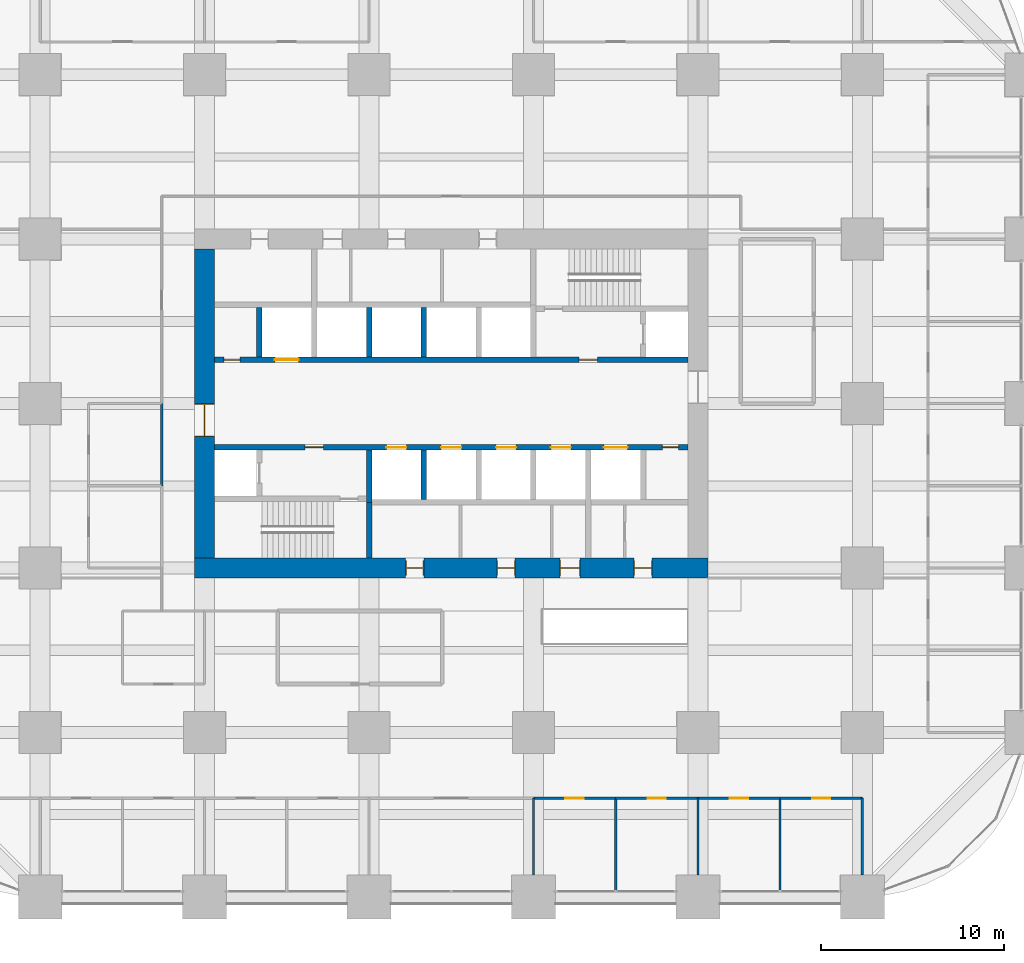
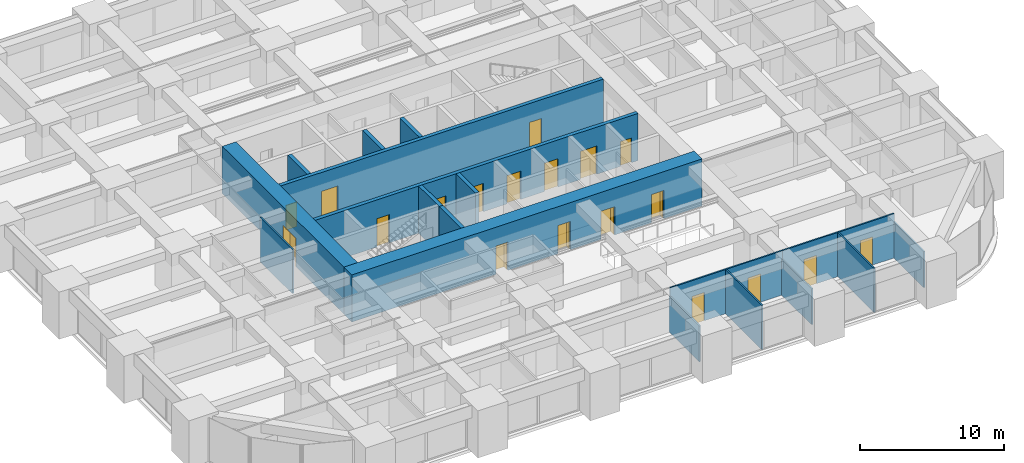
# One storey, part 40 of 45: 20 walls, 19 doors, 19 openings.
"""IFC4 building model written with IfcOpenShell, lengths in metres."""

from ifc_helpers import new_model, si_unit, direction, frame, frame_2d, origin, place, context, subcontext, project, spatial, rectangle, extrude, material, layer, layer_set, type_object, element, fill, save


model = new_model("IFC4")

# Units and contexts
model_context = context("Model", 3, precision=1e-05, world=origin(), true_north=direction((0.0, 1.0)))
body_context = subcontext(model_context, "Body", "Model", "MODEL_VIEW")
ifc_project = project(units=[si_unit("LENGTHUNIT", "METRE"), si_unit("AREAUNIT", "SQUARE_METRE"), si_unit("VOLUMEUNIT", "CUBIC_METRE"), si_unit("PLANEANGLEUNIT", "RADIAN"), si_unit("MASSUNIT", "GRAM", prefix="KILO")], contexts=[model_context])

# Site, building, storey
site_placement = place(None, origin())
site = spatial("IfcSite", under=ifc_project, at=site_placement, CompositionType="ELEMENT")
building_placement = place(site_placement, origin())
building = spatial("IfcBuilding", under=site, at=building_placement, Name="Zorevar Civic Tower", CompositionType="ELEMENT")
storey_placement = place(building_placement, frame((0.0, 0.0, 27.800048828125)))
storey = spatial("IfcBuildingStorey", under=building, at=storey_placement, Name="L06", CompositionType="ELEMENT", Elevation=27.800048828125)

# Wall, openings, doors
ifc_material_1 = material(Name="Concrete C50/60", Category="concrete")
ifc_layer_1 = layer(ifc_material_1, 1.10009765625)
ifc_layer_set_1 = layer_set([ifc_layer_1], Name="Core wall 1100")
wall_type_1 = type_object("IfcWallType", Name="Core wall 1100", PredefinedType="SHEAR", material=ifc_layer_set_1)
wall_1_placement = place(storey_placement, frame((17.449951171875, 18.0, 0.0), z_axis=(0.0, 0.0, 1.0), x_axis=(1.0, 0.0, 0.0)))
wall_1 = element("IfcWall", 1, at=wall_1_placement, inside=storey, type_object=wall_type_1, Name="Core wall S L06", PredefinedType="SHEAR", context=body_context, shape_type="SweptSolid", body=[
    extrude(rectangle(XDim=28.10009765625, YDim=1.10009765625, at=frame_2d((14.050048828125, 0.0))), origin(), (0.0, 0.0, 1.0), 4.0),
])
opening_1_placement = place(wall_1_placement, frame((11.550048828125, 0.0, 0.0)))
opening_1 = element("IfcOpeningElement", 2, at=opening_1_placement, cuts=wall_1, Name="Opening L06.03", PredefinedType="OPENING", context=body_context, shape_type="SweptSolid", body=[
    extrude(rectangle(XDim=1.0, YDim=2.39990234375, at=frame_2d((0.5, 1.199951171875))), frame((0.0, 0.56005859375, 0.0), z_axis=(0.0, -1.0, 0.0), x_axis=(1.0, 0.0, 0.0)), (0.0, 0.0, 1.0), 1.1201171875),
])
opening_2_placement = place(wall_1_placement, frame((16.550048828125, 0.0, 0.0)))
opening_2 = element("IfcOpeningElement", 3, at=opening_2_placement, cuts=wall_1, Name="Opening L06.04", PredefinedType="OPENING", context=body_context, shape_type="SweptSolid", body=[
    extrude(rectangle(XDim=1.0, YDim=2.39990234375, at=frame_2d((0.5, 1.199951171875))), frame((0.0, 0.56005859375, 0.0), z_axis=(0.0, -1.0, 0.0), x_axis=(1.0, 0.0, 0.0)), (0.0, 0.0, 1.0), 1.1201171875),
])
opening_3_placement = place(wall_1_placement, frame((20.0, 0.0, 0.0)))
opening_3 = element("IfcOpeningElement", 4, at=opening_3_placement, cuts=wall_1, Name="Opening L06.05", PredefinedType="OPENING", context=body_context, shape_type="SweptSolid", body=[
    extrude(rectangle(XDim=1.10009765625, YDim=2.39990234375, at=frame_2d((0.550048828125, 1.199951171875))), frame((0.0, 0.56005859375, 0.0), z_axis=(0.0, -1.0, 0.0), x_axis=(1.0, 0.0, 0.0)), (0.0, 0.0, 1.0), 1.1201171875),
])
opening_4_placement = place(wall_1_placement, frame((24.050048828125, 0.0, 0.0)))
opening_4 = element("IfcOpeningElement", 5, at=opening_4_placement, cuts=wall_1, Name="Opening L06.06", PredefinedType="OPENING", context=body_context, shape_type="SweptSolid", body=[
    extrude(rectangle(XDim=1.0, YDim=2.39990234375, at=frame_2d((0.5, 1.199951171875))), frame((0.0, 0.56005859375, 0.0), z_axis=(0.0, -1.0, 0.0), x_axis=(1.0, 0.0, 0.0)), (0.0, 0.0, 1.0), 1.1201171875),
])
ifc_material_2 = material(Name="Timber door set", Category="wood")
door_type_1 = type_object("IfcDoorType", Name="Door D1 1000x2400", OperationType="SINGLE_SWING_LEFT", PredefinedType="DOOR", material=ifc_material_2)
door_1_placement = place(opening_1_placement, origin())
door_1 = element("IfcDoor", 6, at=door_1_placement, inside=storey, type_object=door_type_1, Name="Door L06 02", OperationType="SINGLE_SWING_RIGHT", OverallHeight=2.39990234375, OverallWidth=1.0, PredefinedType="DOOR", context=body_context, shape_type="SweptSolid", body=[
    extrude(rectangle(XDim=1.0, YDim=2.39990234375, at=frame_2d((0.5, 1.199951171875))), frame((0.0, 0.02490234375, 0.0), z_axis=(0.0, -1.0, 0.0), x_axis=(1.0, 0.0, 0.0)), (0.0, 0.0, 1.0), 0.050048828125),
    extrude(rectangle(XDim=0.04, YDim=2.39990234375, at=frame_2d((0.02001953125, 1.199951171875))), frame((0.0, 0.39990234375, 0.0), z_axis=(0.0, -1.0, 0.0), x_axis=(1.0, 0.0, 0.0)), (0.0, 0.0, 1.0), 0.800048828125),
    extrude(rectangle(XDim=0.04, YDim=2.39990234375, at=frame_2d((0.97998046875, 1.199951171875))), frame((0.0, 0.39990234375, 0.0), z_axis=(0.0, -1.0, 0.0), x_axis=(1.0, 0.0, 0.0)), (0.0, 0.0, 1.0), 0.800048828125),
    extrude(rectangle(XDim=1.0, YDim=0.04, at=frame_2d((0.5, 2.3798828125))), frame((0.0, 0.39990234375, 0.0), z_axis=(0.0, -1.0, 0.0), x_axis=(1.0, 0.0, 0.0)), (0.0, 0.0, 1.0), 0.800048828125),
])
fill(opening_1, door_1)
door_2_placement = place(opening_2_placement, origin())
door_2 = element("IfcDoor", 7, at=door_2_placement, inside=storey, type_object=door_type_1, Name="Door L06 03", OperationType="SINGLE_SWING_LEFT", OverallHeight=2.39990234375, OverallWidth=1.0, PredefinedType="DOOR", context=body_context, shape_type="SweptSolid", body=[
    extrude(rectangle(XDim=1.0, YDim=2.39990234375, at=frame_2d((0.5, 1.199951171875))), frame((0.0, 0.02490234375, 0.0), z_axis=(0.0, -1.0, 0.0), x_axis=(1.0, 0.0, 0.0)), (0.0, 0.0, 1.0), 0.050048828125),
    extrude(rectangle(XDim=0.04, YDim=2.39990234375, at=frame_2d((0.02001953125, 1.199951171875))), frame((0.0, 0.39990234375, 0.0), z_axis=(0.0, -1.0, 0.0), x_axis=(1.0, 0.0, 0.0)), (0.0, 0.0, 1.0), 0.800048828125),
    extrude(rectangle(XDim=0.04, YDim=2.39990234375, at=frame_2d((0.97998046875, 1.199951171875))), frame((0.0, 0.39990234375, 0.0), z_axis=(0.0, -1.0, 0.0), x_axis=(1.0, 0.0, 0.0)), (0.0, 0.0, 1.0), 0.800048828125),
    extrude(rectangle(XDim=1.0, YDim=0.04, at=frame_2d((0.5, 2.3798828125))), frame((0.0, 0.39990234375, 0.0), z_axis=(0.0, -1.0, 0.0), x_axis=(1.0, 0.0, 0.0)), (0.0, 0.0, 1.0), 0.800048828125),
])
fill(opening_2, door_2)
door_3_placement = place(opening_4_placement, origin())
door_3 = element("IfcDoor", 8, at=door_3_placement, inside=storey, type_object=door_type_1, Name="Door L06 05", OperationType="SINGLE_SWING_LEFT", OverallHeight=2.39990234375, OverallWidth=1.0, PredefinedType="DOOR", context=body_context, shape_type="SweptSolid", body=[
    extrude(rectangle(XDim=1.0, YDim=2.39990234375, at=frame_2d((0.5, 1.199951171875))), frame((0.0, 0.02490234375, 0.0), z_axis=(0.0, -1.0, 0.0), x_axis=(1.0, 0.0, 0.0)), (0.0, 0.0, 1.0), 0.050048828125),
    extrude(rectangle(XDim=0.04, YDim=2.39990234375, at=frame_2d((0.02001953125, 1.199951171875))), frame((0.0, 0.39990234375, 0.0), z_axis=(0.0, -1.0, 0.0), x_axis=(1.0, 0.0, 0.0)), (0.0, 0.0, 1.0), 0.800048828125),
    extrude(rectangle(XDim=0.04, YDim=2.39990234375, at=frame_2d((0.97998046875, 1.199951171875))), frame((0.0, 0.39990234375, 0.0), z_axis=(0.0, -1.0, 0.0), x_axis=(1.0, 0.0, 0.0)), (0.0, 0.0, 1.0), 0.800048828125),
    extrude(rectangle(XDim=1.0, YDim=0.04, at=frame_2d((0.5, 2.3798828125))), frame((0.0, 0.39990234375, 0.0), z_axis=(0.0, -1.0, 0.0), x_axis=(1.0, 0.0, 0.0)), (0.0, 0.0, 1.0), 0.800048828125),
])
fill(opening_4, door_3)
ifc_material_3 = material(Name="Timber door set", Category="wood")
door_type_2 = type_object("IfcDoorType", Name="Door D5 1100x2400", OperationType="SINGLE_SWING_LEFT", PredefinedType="DOOR", material=ifc_material_3)
door_4_placement = place(opening_3_placement, origin())
door_4 = element("IfcDoor", 9, at=door_4_placement, inside=storey, type_object=door_type_2, Name="Door L06 04", OperationType="SINGLE_SWING_LEFT", OverallHeight=2.39990234375, OverallWidth=1.10009765625, PredefinedType="DOOR", context=body_context, shape_type="SweptSolid", body=[
    extrude(rectangle(XDim=1.10009765625, YDim=2.39990234375, at=frame_2d((0.550048828125, 1.199951171875))), frame((0.0, 0.02490234375, 0.0), z_axis=(0.0, -1.0, 0.0), x_axis=(1.0, 0.0, 0.0)), (0.0, 0.0, 1.0), 0.050048828125),
    extrude(rectangle(XDim=0.04, YDim=2.39990234375, at=frame_2d((0.02001953125, 1.199951171875))), frame((0.0, 0.43994140625, 0.0), z_axis=(0.0, -1.0, 0.0), x_axis=(1.0, 0.0, 0.0)), (0.0, 0.0, 1.0), 0.880126953125),
    extrude(rectangle(XDim=0.04, YDim=2.39990234375, at=frame_2d((1.080078125, 1.199951171875))), frame((0.0, 0.43994140625, 0.0), z_axis=(0.0, -1.0, 0.0), x_axis=(1.0, 0.0, 0.0)), (0.0, 0.0, 1.0), 0.880126953125),
    extrude(rectangle(XDim=1.10009765625, YDim=0.04, at=frame_2d((0.550048828125, 2.3798828125))), frame((0.0, 0.43994140625, 0.0), z_axis=(0.0, -1.0, 0.0), x_axis=(1.0, 0.0, 0.0)), (0.0, 0.0, 1.0), 0.880126953125),
])
fill(opening_3, door_4)

# Wall, opening, door
wall_2_placement = place(storey_placement, frame((18.0, 35.449951171875, 0.0), z_axis=(0.0, 0.0, 1.0), x_axis=(0.0, -1.0, 0.0)))
wall_2 = element("IfcWall", 10, at=wall_2_placement, inside=storey, type_object=wall_type_1, Name="Core wall W L06", PredefinedType="SHEAR", context=body_context, shape_type="SweptSolid", body=[
    extrude(rectangle(XDim=16.89990234375, YDim=1.10009765625, at=frame_2d((8.449951171875, 0.0))), origin(), (0.0, 0.0, 1.0), 4.0),
])
opening_5_placement = place(wall_2_placement, frame((8.449951171875, 0.0, 0.0)))
opening_5 = element("IfcOpeningElement", 11, at=opening_5_placement, cuts=wall_2, Name="Opening L06.01", PredefinedType="OPENING", context=body_context, shape_type="SweptSolid", body=[
    extrude(rectangle(XDim=1.800048828125, YDim=2.39990234375, at=frame_2d((0.89990234375, 1.199951171875))), frame((0.0, 0.56005859375, 0.0), z_axis=(0.0, -1.0, 0.0), x_axis=(1.0, 0.0, 0.0)), (0.0, 0.0, 1.0), 1.1201171875),
])
ifc_material_4 = material(Name="Steel door set", Category="steel")
door_type_3 = type_object("IfcDoorType", Name="Fire door FD2 1800x2400", OperationType="DOUBLE_DOOR_DOUBLE_SWING", PredefinedType="DOOR", material=ifc_material_4)
door_5_placement = place(opening_5_placement, origin())
door_5 = element("IfcDoor", 12, at=door_5_placement, inside=storey, type_object=door_type_3, Name="Door L06 00", OperationType="DOUBLE_DOOR_DOUBLE_SWING", OverallHeight=2.39990234375, OverallWidth=1.800048828125, PredefinedType="DOOR", context=body_context, shape_type="SweptSolid", body=[
    extrude(rectangle(XDim=1.800048828125, YDim=2.39990234375, at=frame_2d((0.89990234375, 1.199951171875))), frame((0.0, 0.030029296875, 0.0), z_axis=(0.0, -1.0, 0.0), x_axis=(1.0, 0.0, 0.0)), (0.0, 0.0, 1.0), 0.06005859375),
    extrude(rectangle(XDim=0.04, YDim=2.39990234375, at=frame_2d((0.02001953125, 1.199951171875))), frame((0.0, 0.5498046875, 0.0), z_axis=(0.0, -1.0, 0.0), x_axis=(1.0, 0.0, 0.0)), (0.0, 0.0, 1.0), 1.099609375),
    extrude(rectangle(XDim=0.04, YDim=2.39990234375, at=frame_2d((1.780029296875, 1.199951171875))), frame((0.0, 0.5498046875, 0.0), z_axis=(0.0, -1.0, 0.0), x_axis=(1.0, 0.0, 0.0)), (0.0, 0.0, 1.0), 1.099609375),
    extrude(rectangle(XDim=1.800048828125, YDim=0.04, at=frame_2d((0.89990234375, 2.3798828125))), frame((0.0, 0.5498046875, 0.0), z_axis=(0.0, -1.0, 0.0), x_axis=(1.0, 0.0, 0.0)), (0.0, 0.0, 1.0), 1.099609375),
])
fill(opening_5, door_5)

# Wall
ifc_material_5 = material(Name="Concrete C40/50", Category="concrete")
ifc_layer_2 = layer(ifc_material_5, 0.300048828125)
ifc_layer_set_2 = layer_set([ifc_layer_2], Name="Inner core wall 300")
wall_type_2 = type_object("IfcWallType", Name="Inner core wall 300", PredefinedType="SHEAR", material=ifc_layer_set_2)
wall_3_placement = place(storey_placement, frame((27.0, 18.550048828125, 0.0), z_axis=(0.0, 0.0, 1.0), x_axis=(0.0, 1.0, 0.0)))
element("IfcWall", 13, at=wall_3_placement, inside=storey, type_object=wall_type_2, Name="Inner core wall S01 L06", PredefinedType="SHEAR", context=body_context, shape_type="SweptSolid", body=[
    extrude(rectangle(XDim=3.050048828125, YDim=0.300048828125, at=frame_2d((1.52490234375, 0.0))), origin(), (0.0, 0.0, 1.0), 4.0),
])

# Wall, openings, doors
wall_4_placement = place(storey_placement, frame((18.550048828125, 24.60009765625, 0.0), z_axis=(0.0, 0.0, 1.0), x_axis=(1.0, 0.0, 0.0)))
wall_4 = element("IfcWall", 14, at=wall_4_placement, inside=storey, type_object=wall_type_2, Name="Inner core wall S03 L06", PredefinedType="SHEAR", context=body_context, shape_type="SweptSolid", body=[
    extrude(rectangle(XDim=25.89990234375, YDim=0.300048828125, at=frame_2d((12.949951171875, 0.0))), origin(), (0.0, 0.0, 1.0), 4.0),
])
opening_6_placement = place(wall_4_placement, frame((4.949951171875, 0.0, 0.0)))
opening_6 = element("IfcOpeningElement", 15, at=opening_6_placement, cuts=wall_4, Name="Opening L06.13", PredefinedType="OPENING", context=body_context, shape_type="SweptSolid", body=[
    extrude(rectangle(XDim=1.0, YDim=2.39990234375, at=frame_2d((0.5, 1.199951171875))), frame((0.0, 0.159912109375, 0.0), z_axis=(0.0, -1.0, 0.0), x_axis=(1.0, 0.0, 0.0)), (0.0, 0.0, 1.0), 0.320068359375),
])
opening_7_placement = place(wall_4_placement, frame((24.5, 0.0, 0.0)))
opening_7 = element("IfcOpeningElement", 16, at=opening_7_placement, cuts=wall_4, Name="Opening L06.15", PredefinedType="OPENING", context=body_context, shape_type="SweptSolid", body=[
    extrude(rectangle(XDim=0.89990234375, YDim=2.10009765625, at=frame_2d((0.449951171875, 1.050048828125))), frame((0.0, 0.159912109375, 0.0), z_axis=(0.0, -1.0, 0.0), x_axis=(1.0, 0.0, 0.0)), (0.0, 0.0, 1.0), 0.320068359375),
])
opening_8_placement = place(wall_4_placement, frame((9.39990234375, 0.0, 0.0)))
opening_8 = element("IfcOpeningElement", 17, at=opening_8_placement, cuts=wall_4, Name="Opening L06.LP1", PredefinedType="OPENING", context=body_context, shape_type="SweptSolid", body=[
    extrude(rectangle(XDim=1.10009765625, YDim=2.39990234375, at=frame_2d((0.550048828125, 1.199951171875))), frame((0.0, 0.159912109375, 0.0), z_axis=(0.0, -1.0, 0.0), x_axis=(1.0, 0.0, 0.0)), (0.0, 0.0, 1.0), 0.320068359375),
])
opening_9_placement = place(wall_4_placement, frame((12.39990234375, 0.0, 0.0)))
opening_9 = element("IfcOpeningElement", 18, at=opening_9_placement, cuts=wall_4, Name="Opening L06.LP2", PredefinedType="OPENING", context=body_context, shape_type="SweptSolid", body=[
    extrude(rectangle(XDim=1.10009765625, YDim=2.39990234375, at=frame_2d((0.550048828125, 1.199951171875))), frame((0.0, 0.159912109375, 0.0), z_axis=(0.0, -1.0, 0.0), x_axis=(1.0, 0.0, 0.0)), (0.0, 0.0, 1.0), 0.320068359375),
])
opening_10_placement = place(wall_4_placement, frame((15.39990234375, 0.0, 0.0)))
opening_10 = element("IfcOpeningElement", 19, at=opening_10_placement, cuts=wall_4, Name="Opening L06.LP3", PredefinedType="OPENING", context=body_context, shape_type="SweptSolid", body=[
    extrude(rectangle(XDim=1.10009765625, YDim=2.39990234375, at=frame_2d((0.550048828125, 1.199951171875))), frame((0.0, 0.159912109375, 0.0), z_axis=(0.0, -1.0, 0.0), x_axis=(1.0, 0.0, 0.0)), (0.0, 0.0, 1.0), 0.320068359375),
])
opening_11_placement = place(wall_4_placement, frame((18.39990234375, 0.0, 0.0)))
opening_11 = element("IfcOpeningElement", 20, at=opening_11_placement, cuts=wall_4, Name="Opening L06.LP4", PredefinedType="OPENING", context=body_context, shape_type="SweptSolid", body=[
    extrude(rectangle(XDim=1.10009765625, YDim=2.39990234375, at=frame_2d((0.550048828125, 1.199951171875))), frame((0.0, 0.159912109375, 0.0), z_axis=(0.0, -1.0, 0.0), x_axis=(1.0, 0.0, 0.0)), (0.0, 0.0, 1.0), 0.320068359375),
])
opening_12_placement = place(wall_4_placement, frame((21.300048828125, 0.0, 0.0)))
opening_12 = element("IfcOpeningElement", 21, at=opening_12_placement, cuts=wall_4, Name="Opening L06.SL1", PredefinedType="OPENING", context=body_context, shape_type="SweptSolid", body=[
    extrude(rectangle(XDim=1.300048828125, YDim=2.39990234375, at=frame_2d((0.64990234375, 1.199951171875))), frame((0.0, 0.159912109375, 0.0), z_axis=(0.0, -1.0, 0.0), x_axis=(1.0, 0.0, 0.0)), (0.0, 0.0, 1.0), 0.320068359375),
])
ifc_material_6 = material(Name="Steel door set", Category="steel")
door_type_4 = type_object("IfcDoorType", Name="Fire door FD1 1000x2400", OperationType="SINGLE_SWING_LEFT", PredefinedType="DOOR", material=ifc_material_6)
door_6_placement = place(opening_6_placement, origin())
door_6 = element("IfcDoor", 22, at=door_6_placement, inside=storey, type_object=door_type_4, Name="Door L06 12", OperationType="SINGLE_SWING_RIGHT", OverallHeight=2.39990234375, OverallWidth=1.0, PredefinedType="DOOR", context=body_context, shape_type="SweptSolid", body=[
    extrude(rectangle(XDim=1.0, YDim=2.39990234375, at=frame_2d((0.5, 1.199951171875))), frame((0.0, 0.030029296875, 0.0), z_axis=(0.0, -1.0, 0.0), x_axis=(1.0, 0.0, 0.0)), (0.0, 0.0, 1.0), 0.06005859375),
])
fill(opening_6, door_6)
ifc_material_7 = material(Name="Steel door set", Category="steel")
door_type_5 = type_object("IfcDoorType", Name="Landing door LD1 1100x2400", OperationType="DOUBLE_DOOR_SLIDING", PredefinedType="DOOR", material=ifc_material_7)
door_7_placement = place(opening_8_placement, origin())
door_7 = element("IfcDoor", 23, at=door_7_placement, inside=storey, type_object=door_type_5, Name="Landing door LP1 L06", OperationType="DOUBLE_DOOR_SLIDING", OverallHeight=2.39990234375, OverallWidth=1.10009765625, PredefinedType="DOOR", context=body_context, shape_type="SweptSolid", body=[
    extrude(rectangle(XDim=1.10009765625, YDim=2.39990234375, at=frame_2d((0.550048828125, 1.199951171875))), frame((0.0, 0.02001953125, 0.0), z_axis=(0.0, -1.0, 0.0), x_axis=(1.0, 0.0, 0.0)), (0.0, 0.0, 1.0), 0.0400390625),
])
fill(opening_8, door_7)
door_8_placement = place(opening_9_placement, origin())
door_8 = element("IfcDoor", 24, at=door_8_placement, inside=storey, type_object=door_type_5, Name="Landing door LP2 L06", OperationType="DOUBLE_DOOR_SLIDING", OverallHeight=2.39990234375, OverallWidth=1.10009765625, PredefinedType="DOOR", context=body_context, shape_type="SweptSolid", body=[
    extrude(rectangle(XDim=1.10009765625, YDim=2.39990234375, at=frame_2d((0.550048828125, 1.199951171875))), frame((0.0, 0.02001953125, 0.0), z_axis=(0.0, -1.0, 0.0), x_axis=(1.0, 0.0, 0.0)), (0.0, 0.0, 1.0), 0.0400390625),
])
fill(opening_9, door_8)
door_9_placement = place(opening_10_placement, origin())
door_9 = element("IfcDoor", 25, at=door_9_placement, inside=storey, type_object=door_type_5, Name="Landing door LP3 L06", OperationType="DOUBLE_DOOR_SLIDING", OverallHeight=2.39990234375, OverallWidth=1.10009765625, PredefinedType="DOOR", context=body_context, shape_type="SweptSolid", body=[
    extrude(rectangle(XDim=1.10009765625, YDim=2.39990234375, at=frame_2d((0.550048828125, 1.199951171875))), frame((0.0, 0.02001953125, 0.0), z_axis=(0.0, -1.0, 0.0), x_axis=(1.0, 0.0, 0.0)), (0.0, 0.0, 1.0), 0.0400390625),
])
fill(opening_10, door_9)
door_10_placement = place(opening_11_placement, origin())
door_10 = element("IfcDoor", 26, at=door_10_placement, inside=storey, type_object=door_type_5, Name="Landing door LP4 L06", OperationType="DOUBLE_DOOR_SLIDING", OverallHeight=2.39990234375, OverallWidth=1.10009765625, PredefinedType="DOOR", context=body_context, shape_type="SweptSolid", body=[
    extrude(rectangle(XDim=1.10009765625, YDim=2.39990234375, at=frame_2d((0.550048828125, 1.199951171875))), frame((0.0, 0.02001953125, 0.0), z_axis=(0.0, -1.0, 0.0), x_axis=(1.0, 0.0, 0.0)), (0.0, 0.0, 1.0), 0.0400390625),
])
fill(opening_11, door_10)
ifc_material_8 = material(Name="Steel door set", Category="steel")
door_type_6 = type_object("IfcDoorType", Name="Landing door LD2 1300x2400", OperationType="DOUBLE_DOOR_SLIDING", PredefinedType="DOOR", material=ifc_material_8)
door_11_placement = place(opening_12_placement, origin())
door_11 = element("IfcDoor", 27, at=door_11_placement, inside=storey, type_object=door_type_6, Name="Landing door SL1 L06", OperationType="DOUBLE_DOOR_SLIDING", OverallHeight=2.39990234375, OverallWidth=1.300048828125, PredefinedType="DOOR", context=body_context, shape_type="SweptSolid", body=[
    extrude(rectangle(XDim=1.300048828125, YDim=2.39990234375, at=frame_2d((0.64990234375, 1.199951171875))), frame((0.0, 0.02001953125, 0.0), z_axis=(0.0, -1.0, 0.0), x_axis=(1.0, 0.0, 0.0)), (0.0, 0.0, 1.0), 0.0400390625),
])
fill(opening_12, door_11)
ifc_material_9 = material(Name="Steel door set", Category="steel")
door_type_7 = type_object("IfcDoorType", Name="Riser door RD1 900x2100", OperationType="SINGLE_SWING_LEFT", PredefinedType="DOOR", material=ifc_material_9)
door_12_placement = place(opening_7_placement, origin())
door_12 = element("IfcDoor", 28, at=door_12_placement, inside=storey, type_object=door_type_7, Name="Door L06 14", OperationType="SINGLE_SWING_RIGHT", OverallHeight=2.10009765625, OverallWidth=0.89990234375, PredefinedType="DOOR", context=body_context, shape_type="SweptSolid", body=[
    extrude(rectangle(XDim=0.89990234375, YDim=2.10009765625, at=frame_2d((0.449951171875, 1.050048828125))), frame((0.0, 0.030029296875, 0.0), z_axis=(0.0, -1.0, 0.0), x_axis=(1.0, 0.0, 0.0)), (0.0, 0.0, 1.0), 0.06005859375),
])
fill(opening_7, door_12)

wall_5_placement = place(storey_placement, frame((18.550048828125, 29.39990234375, 0.0), z_axis=(0.0, 0.0, 1.0), x_axis=(1.0, 0.0, 0.0)))
wall_5 = element("IfcWall", 29, at=wall_5_placement, inside=storey, type_object=wall_type_2, Name="Inner core wall N03 L06", PredefinedType="SHEAR", context=body_context, shape_type="SweptSolid", body=[
    extrude(rectangle(XDim=25.89990234375, YDim=0.300048828125, at=frame_2d((12.949951171875, 0.0))), origin(), (0.0, 0.0, 1.0), 4.0),
])
opening_13_placement = place(wall_5_placement, frame((19.949951171875, 0.0, 0.0)))
opening_13 = element("IfcOpeningElement", 30, at=opening_13_placement, cuts=wall_5, Name="Opening L06.14", PredefinedType="OPENING", context=body_context, shape_type="SweptSolid", body=[
    extrude(rectangle(XDim=1.0, YDim=2.39990234375, at=frame_2d((0.5, 1.199951171875))), frame((0.0, 0.159912109375, 0.0), z_axis=(0.0, -1.0, 0.0), x_axis=(1.0, 0.0, 0.0)), (0.0, 0.0, 1.0), 0.320068359375),
])
opening_14_placement = place(wall_5_placement, frame((0.5, 0.0, 0.0)))
opening_14 = element("IfcOpeningElement", 31, at=opening_14_placement, cuts=wall_5, Name="Opening L06.16", PredefinedType="OPENING", context=body_context, shape_type="SweptSolid", body=[
    extrude(rectangle(XDim=0.89990234375, YDim=2.10009765625, at=frame_2d((0.449951171875, 1.050048828125))), frame((0.0, 0.159912109375, 0.0), z_axis=(0.0, -1.0, 0.0), x_axis=(1.0, 0.0, 0.0)), (0.0, 0.0, 1.0), 0.320068359375),
])
opening_15_placement = place(wall_5_placement, frame((3.300048828125, 0.0, 0.0)))
opening_15 = element("IfcOpeningElement", 32, at=opening_15_placement, cuts=wall_5, Name="Opening L06.SL2", PredefinedType="OPENING", context=body_context, shape_type="SweptSolid", body=[
    extrude(rectangle(XDim=1.300048828125, YDim=2.39990234375, at=frame_2d((0.64990234375, 1.199951171875))), frame((0.0, 0.159912109375, 0.0), z_axis=(0.0, -1.0, 0.0), x_axis=(1.0, 0.0, 0.0)), (0.0, 0.0, 1.0), 0.320068359375),
])
door_13_placement = place(opening_13_placement, origin())
door_13 = element("IfcDoor", 33, at=door_13_placement, inside=storey, type_object=door_type_4, Name="Door L06 13", OperationType="SINGLE_SWING_RIGHT", OverallHeight=2.39990234375, OverallWidth=1.0, PredefinedType="DOOR", context=body_context, shape_type="SweptSolid", body=[
    extrude(rectangle(XDim=1.0, YDim=2.39990234375, at=frame_2d((0.5, 1.199951171875))), frame((0.0, 0.030029296875, 0.0), z_axis=(0.0, -1.0, 0.0), x_axis=(1.0, 0.0, 0.0)), (0.0, 0.0, 1.0), 0.06005859375),
])
fill(opening_13, door_13)
door_14_placement = place(opening_15_placement, origin())
door_14 = element("IfcDoor", 34, at=door_14_placement, inside=storey, type_object=door_type_6, Name="Landing door SL2 L06", OperationType="DOUBLE_DOOR_SLIDING", OverallHeight=2.39990234375, OverallWidth=1.300048828125, PredefinedType="DOOR", context=body_context, shape_type="SweptSolid", body=[
    extrude(rectangle(XDim=1.300048828125, YDim=2.39990234375, at=frame_2d((0.64990234375, 1.199951171875))), frame((0.0, 0.02001953125, 0.0), z_axis=(0.0, -1.0, 0.0), x_axis=(1.0, 0.0, 0.0)), (0.0, 0.0, 1.0), 0.0400390625),
])
fill(opening_15, door_14)
door_15_placement = place(opening_14_placement, origin())
door_15 = element("IfcDoor", 35, at=door_15_placement, inside=storey, type_object=door_type_7, Name="Door L06 15", OperationType="SINGLE_SWING_RIGHT", OverallHeight=2.10009765625, OverallWidth=0.89990234375, PredefinedType="DOOR", context=body_context, shape_type="SweptSolid", body=[
    extrude(rectangle(XDim=0.89990234375, YDim=2.10009765625, at=frame_2d((0.449951171875, 1.050048828125))), frame((0.0, 0.030029296875, 0.0), z_axis=(0.0, -1.0, 0.0), x_axis=(1.0, 0.0, 0.0)), (0.0, 0.0, 1.0), 0.06005859375),
])
fill(opening_14, door_15)

# Walls
for number, where, z_axis, x_axis, name in (
    (36, (30.0, 21.75, 0.0), (0.0, 0.0, 1.0), (0.0, 1.0, 0.0), "Inner core wall S05 L06"),
    (37, (30.0, 29.550048828125, 0.0), (0.0, 0.0, 1.0), (0.0, 1.0, 0.0), "Inner core wall N06 L06"),
    (38, (27.0, 29.550048828125, 0.0), (0.0, 0.0, 1.0), (0.0, 1.0, 0.0), "Inner core wall N07 L06"),
    (39, (21.0, 29.550048828125, 0.0), (0.0, 0.0, 1.0), (0.0, 1.0, 0.0), "Inner core wall N09 L06"),
):
    element("IfcWall", number, at=place(storey_placement, frame(where, z_axis=z_axis, x_axis=x_axis)), inside=storey, type_object=wall_type_2, Name=name, PredefinedType="SHEAR", context=body_context, shape_type="SweptSolid", body=[
        extrude(rectangle(XDim=2.699951171875, YDim=0.300048828125, at=frame_2d((1.35009765625, 0.0))), origin(), (0.0, 0.0, 1.0), 4.0),
    ])
wall_6_placement = place(storey_placement, frame((27.0, 21.60009765625, 0.0), z_axis=(0.0, 0.0, 1.0), x_axis=(0.0, 1.0, 0.0)))
element("IfcWall", 40, at=wall_6_placement, inside=storey, type_object=wall_type_2, Name="Inner core wall S10 L06", PredefinedType="SHEAR", context=body_context, shape_type="SweptSolid", body=[
    extrude(rectangle(XDim=2.849853515625, YDim=0.300048828125, at=frame_2d((1.4248046875, 0.0))), origin(), (0.0, 0.0, 1.0), 4.0),
])

# Wall, opening, door
ifc_material_10 = material(Name="Gypsum board on steel studs", Category="steel")
ifc_layer_3 = layer(ifc_material_10, 0.1201171875)
ifc_layer_set_3 = layer_set([ifc_layer_3], Name="Partition 120")
wall_type_3 = type_object("IfcWallType", Name="Partition 120", PredefinedType="PARTITIONING", material=ifc_layer_set_3)
wall_7_placement = place(storey_placement, frame((36.0, 5.39990234375, 0.0), z_axis=(0.0, 0.0, 1.0), x_axis=(1.0, 0.0, 0.0)))
wall_7 = element("IfcWall", 41, at=wall_7_placement, inside=storey, type_object=wall_type_3, Name="Partition 120 L06", PredefinedType="PARTITIONING", context=body_context, shape_type="SweptSolid", body=[
    extrude(rectangle(XDim=4.5, YDim=0.1201171875, at=frame_2d((2.25, 0.0))), origin(), (0.0, 0.0, 1.0), 3.75),
])
opening_16_placement = place(wall_7_placement, frame((1.75, 0.0, 0.0)))
opening_16 = element("IfcOpeningElement", 42, at=opening_16_placement, cuts=wall_7, Name="Opening L06.22", PredefinedType="OPENING", context=body_context, shape_type="SweptSolid", body=[
    extrude(rectangle(XDim=1.0, YDim=2.39990234375, at=frame_2d((0.5, 1.199951171875))), frame((0.0, 0.070068359375, 0.0), z_axis=(0.0, -1.0, 0.0), x_axis=(1.0, 0.0, 0.0)), (0.0, 0.0, 1.0), 0.14013671875),
])
door_16_placement = place(opening_16_placement, origin())
door_16 = element("IfcDoor", 43, at=door_16_placement, inside=storey, type_object=door_type_1, Name="Door L06 D1", OperationType="SINGLE_SWING_LEFT", OverallHeight=2.39990234375, OverallWidth=1.0, PredefinedType="DOOR", context=body_context, shape_type="SweptSolid", body=[
    extrude(rectangle(XDim=1.0, YDim=2.39990234375, at=frame_2d((0.5, 1.199951171875))), frame((0.0, 0.02490234375, 0.0), z_axis=(0.0, -1.0, 0.0), x_axis=(1.0, 0.0, 0.0)), (0.0, 0.0, 1.0), 0.050048828125),
])
fill(opening_16, door_16)

wall_8_placement = place(storey_placement, frame((40.5, 5.39990234375, 0.0), z_axis=(0.0, 0.0, 1.0), x_axis=(1.0, 0.0, 0.0)))
wall_8 = element("IfcWall", 44, at=wall_8_placement, inside=storey, type_object=wall_type_3, Name="Partition 120 L06", PredefinedType="PARTITIONING", context=body_context, shape_type="SweptSolid", body=[
    extrude(rectangle(XDim=4.5, YDim=0.1201171875, at=frame_2d((2.25, 0.0))), origin(), (0.0, 0.0, 1.0), 3.75),
])
opening_17_placement = place(wall_8_placement, frame((1.75, 0.0, 0.0)))
opening_17 = element("IfcOpeningElement", 45, at=opening_17_placement, cuts=wall_8, Name="Opening L06.23", PredefinedType="OPENING", context=body_context, shape_type="SweptSolid", body=[
    extrude(rectangle(XDim=1.0, YDim=2.39990234375, at=frame_2d((0.5, 1.199951171875))), frame((0.0, 0.070068359375, 0.0), z_axis=(0.0, -1.0, 0.0), x_axis=(1.0, 0.0, 0.0)), (0.0, 0.0, 1.0), 0.14013671875),
])
door_17_placement = place(opening_17_placement, origin())
door_17 = element("IfcDoor", 46, at=door_17_placement, inside=storey, type_object=door_type_1, Name="Door L06 D1", OperationType="SINGLE_SWING_LEFT", OverallHeight=2.39990234375, OverallWidth=1.0, PredefinedType="DOOR", context=body_context, shape_type="SweptSolid", body=[
    extrude(rectangle(XDim=1.0, YDim=2.39990234375, at=frame_2d((0.5, 1.199951171875))), frame((0.0, 0.02490234375, 0.0), z_axis=(0.0, -1.0, 0.0), x_axis=(1.0, 0.0, 0.0)), (0.0, 0.0, 1.0), 0.050048828125),
])
fill(opening_17, door_17)

wall_9_placement = place(storey_placement, frame((45.0, 5.39990234375, 0.0), z_axis=(0.0, 0.0, 1.0), x_axis=(1.0, 0.0, 0.0)))
wall_9 = element("IfcWall", 47, at=wall_9_placement, inside=storey, type_object=wall_type_3, Name="Partition 120 L06", PredefinedType="PARTITIONING", context=body_context, shape_type="SweptSolid", body=[
    extrude(rectangle(XDim=4.5, YDim=0.1201171875, at=frame_2d((2.25, 0.0))), origin(), (0.0, 0.0, 1.0), 3.75),
])
opening_18_placement = place(wall_9_placement, frame((1.75, 0.0, 0.0)))
opening_18 = element("IfcOpeningElement", 48, at=opening_18_placement, cuts=wall_9, Name="Opening L06.24", PredefinedType="OPENING", context=body_context, shape_type="SweptSolid", body=[
    extrude(rectangle(XDim=1.0, YDim=2.39990234375, at=frame_2d((0.5, 1.199951171875))), frame((0.0, 0.070068359375, 0.0), z_axis=(0.0, -1.0, 0.0), x_axis=(1.0, 0.0, 0.0)), (0.0, 0.0, 1.0), 0.14013671875),
])
door_18_placement = place(opening_18_placement, origin())
door_18 = element("IfcDoor", 49, at=door_18_placement, inside=storey, type_object=door_type_1, Name="Door L06 D1", OperationType="SINGLE_SWING_LEFT", OverallHeight=2.39990234375, OverallWidth=1.0, PredefinedType="DOOR", context=body_context, shape_type="SweptSolid", body=[
    extrude(rectangle(XDim=1.0, YDim=2.39990234375, at=frame_2d((0.5, 1.199951171875))), frame((0.0, 0.02490234375, 0.0), z_axis=(0.0, -1.0, 0.0), x_axis=(1.0, 0.0, 0.0)), (0.0, 0.0, 1.0), 0.050048828125),
])
fill(opening_18, door_18)

wall_10_placement = place(storey_placement, frame((49.5, 5.39990234375, 0.0), z_axis=(0.0, 0.0, 1.0), x_axis=(1.0, 0.0, 0.0)))
wall_10 = element("IfcWall", 50, at=wall_10_placement, inside=storey, type_object=wall_type_3, Name="Partition 120 L06", PredefinedType="PARTITIONING", context=body_context, shape_type="SweptSolid", body=[
    extrude(rectangle(XDim=4.5, YDim=0.1201171875, at=frame_2d((2.25, 0.0))), origin(), (0.0, 0.0, 1.0), 3.75),
])
opening_19_placement = place(wall_10_placement, frame((1.75, 0.0, 0.0)))
opening_19 = element("IfcOpeningElement", 51, at=opening_19_placement, cuts=wall_10, Name="Opening L06.25", PredefinedType="OPENING", context=body_context, shape_type="SweptSolid", body=[
    extrude(rectangle(XDim=1.0, YDim=2.39990234375, at=frame_2d((0.5, 1.199951171875))), frame((0.0, 0.070068359375, 0.0), z_axis=(0.0, -1.0, 0.0), x_axis=(1.0, 0.0, 0.0)), (0.0, 0.0, 1.0), 0.14013671875),
])
door_19_placement = place(opening_19_placement, origin())
door_19 = element("IfcDoor", 52, at=door_19_placement, inside=storey, type_object=door_type_1, Name="Door L06 D1", OperationType="SINGLE_SWING_LEFT", OverallHeight=2.39990234375, OverallWidth=1.0, PredefinedType="DOOR", context=body_context, shape_type="SweptSolid", body=[
    extrude(rectangle(XDim=1.0, YDim=2.39990234375, at=frame_2d((0.5, 1.199951171875))), frame((0.0, 0.02490234375, 0.0), z_axis=(0.0, -1.0, 0.0), x_axis=(1.0, 0.0, 0.0)), (0.0, 0.0, 1.0), 0.050048828125),
])
fill(opening_19, door_19)

# Walls
wall_11_placement = place(storey_placement, frame((15.64990234375, 22.5, 0.0), z_axis=(0.0, 0.0, 1.0), x_axis=(0.0, 1.0, 0.0)))
element("IfcWall", 53, at=wall_11_placement, inside=storey, type_object=wall_type_3, Name="Partition 120 L06", PredefinedType="PARTITIONING", context=body_context, shape_type="SweptSolid", body=[
    extrude(rectangle(XDim=4.5, YDim=0.1201171875, at=frame_2d((2.25, 0.0))), origin(), (0.0, 0.0, 1.0), 3.75),
])
wall_12_placement = place(storey_placement, frame((36.0, 1.199951171875, 0.0), z_axis=(0.0, 0.0, 1.0), x_axis=(0.0, 1.0, 0.0)))
element("IfcWall", 54, at=wall_12_placement, inside=storey, type_object=wall_type_3, Name="Partition 120 L06", PredefinedType="PARTITIONING", context=body_context, shape_type="SweptSolid", body=[
    extrude(rectangle(XDim=4.199951171875, YDim=0.1201171875, at=frame_2d((2.10009765625, 0.0))), origin(), (0.0, 0.0, 1.0), 3.050048828125),
])
wall_13_placement = place(storey_placement, frame((40.5, 0.31005859375, 0.0), z_axis=(0.0, 0.0, 1.0), x_axis=(0.0, 1.0, 0.0)))
element("IfcWall", 55, at=wall_13_placement, inside=storey, type_object=wall_type_3, Name="Partition 120 L06", PredefinedType="PARTITIONING", context=body_context, shape_type="SweptSolid", body=[
    extrude(rectangle(XDim=5.08984375, YDim=0.1201171875, at=frame_2d((2.544921875, 0.0))), origin(), (0.0, 0.0, 1.0), 3.75),
])
wall_14_placement = place(storey_placement, frame((45.0, 1.199951171875, 0.0), z_axis=(0.0, 0.0, 1.0), x_axis=(0.0, 1.0, 0.0)))
element("IfcWall", 56, at=wall_14_placement, inside=storey, type_object=wall_type_3, Name="Partition 120 L06", PredefinedType="PARTITIONING", context=body_context, shape_type="SweptSolid", body=[
    extrude(rectangle(XDim=4.199951171875, YDim=0.1201171875, at=frame_2d((2.10009765625, 0.0))), origin(), (0.0, 0.0, 1.0), 3.050048828125),
])
wall_15_placement = place(storey_placement, frame((49.5, 0.31005859375, 0.0), z_axis=(0.0, 0.0, 1.0), x_axis=(0.0, 1.0, 0.0)))
element("IfcWall", 57, at=wall_15_placement, inside=storey, type_object=wall_type_3, Name="Partition 120 L06", PredefinedType="PARTITIONING", context=body_context, shape_type="SweptSolid", body=[
    extrude(rectangle(XDim=5.08984375, YDim=0.1201171875, at=frame_2d((2.544921875, 0.0))), origin(), (0.0, 0.0, 1.0), 3.75),
])
wall_16_placement = place(storey_placement, frame((54.0, 1.199951171875, 0.0), z_axis=(0.0, 0.0, 1.0), x_axis=(0.0, 1.0, 0.0)))
element("IfcWall", 58, at=wall_16_placement, inside=storey, type_object=wall_type_3, Name="Partition 120 L06", PredefinedType="PARTITIONING", context=body_context, shape_type="SweptSolid", body=[
    extrude(rectangle(XDim=4.199951171875, YDim=0.1201171875, at=frame_2d((2.10009765625, 0.0))), origin(), (0.0, 0.0, 1.0), 3.050048828125),
])

save(model, "model.ifc")
